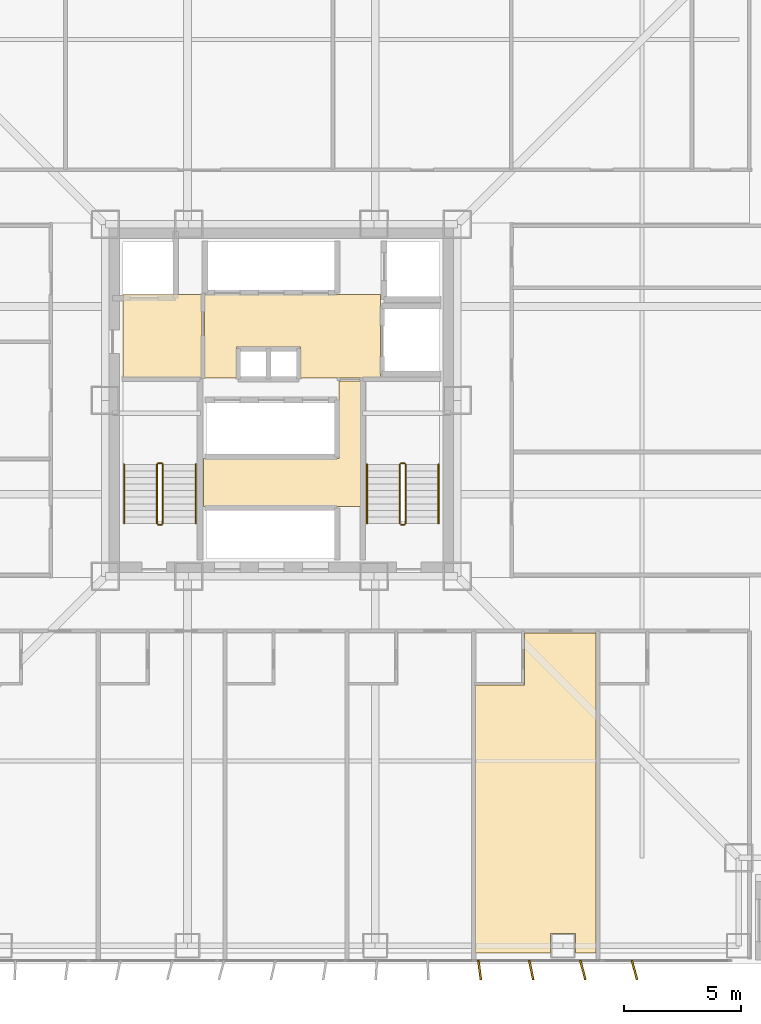
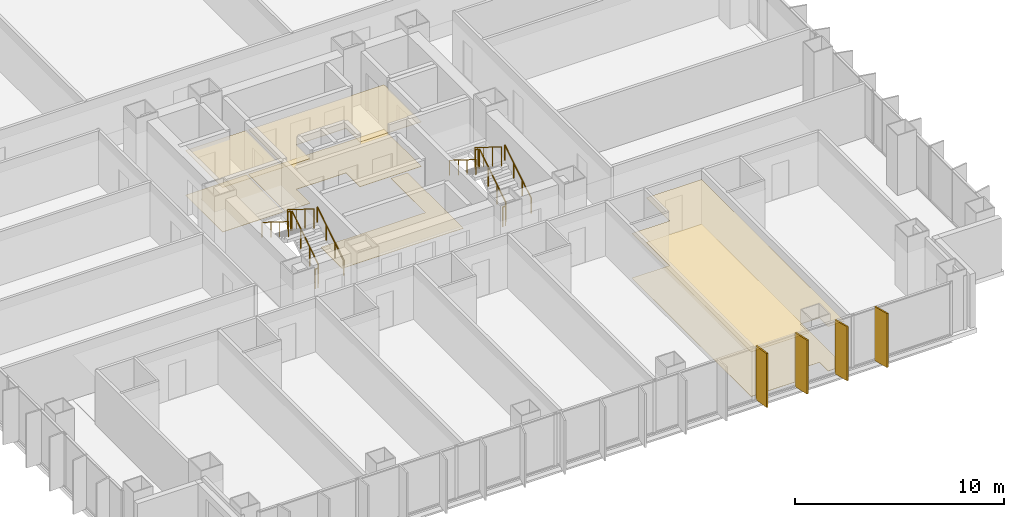
# One storey, part 18 of 19: 12 railings, 7 coverings, 4 shading devices.
"""IFC4 building model written with IfcOpenShell, lengths in metres."""

from ifc_helpers import new_model, si_unit, direction, frame, origin, origin_2d, place, context, subcontext, project, spatial, polyline, rectangle, circle, outline, extrude, material, layer, layer_set, type_object, element, save


model = new_model("IFC4")

# Units and contexts
model_context = context("Model", 3, precision=1e-05, world=origin(), true_north=direction((0.0, 1.0)))
body_context = subcontext(model_context, "Body", "Model", "MODEL_VIEW")
ifc_project = project(units=[si_unit("LENGTHUNIT", "METRE"), si_unit("AREAUNIT", "SQUARE_METRE"), si_unit("VOLUMEUNIT", "CUBIC_METRE"), si_unit("PLANEANGLEUNIT", "RADIAN"), si_unit("MASSUNIT", "GRAM", prefix="KILO")], contexts=[model_context])

# Site, building, storey
site_placement = place(None, origin())
site = spatial("IfcSite", under=ifc_project, at=site_placement, CompositionType="ELEMENT")
building_placement = place(site_placement, origin())
building = spatial("IfcBuilding", under=site, at=building_placement, Name="Trevonay Congress Spire", CompositionType="ELEMENT")
storey_placement = place(building_placement, frame((0.0, 0.0, 79.5)))
storey = spatial("IfcBuildingStorey", under=building, at=storey_placement, Name="L20", CompositionType="ELEMENT", Elevation=79.5)

# Coverings
ifc_material_1 = material(Name="Acoustic Mineral Fibre Board", Category="gypsum")
ifc_layer_1 = layer(ifc_material_1, 0.02490234375, Name="Acoustic Mineral Fibre Board")
ifc_layer_set_1 = layer_set([ifc_layer_1], Name="Acoustic Mineral Fibre Board")
covering_type_1 = type_object("IfcCoveringType", Name="COV-CEIL-ACOUSTIC", PredefinedType="CEILING", material=ifc_layer_set_1)
covering_1_placement = place(storey_placement, frame((0.0, 0.0, 2.60009765625)))
element("IfcCovering", 1, at=covering_1_placement, inside=storey, type_object=covering_type_1, Name="L20 Firefighting Lift Lobby West acoustic suspended ceiling", PredefinedType="CEILING", context=body_context, shape_type="SweptSolid", body=[
    extrude(outline(polyline([(-6.75, 0.9599609375), (-3.3798828125, 0.9599609375), (-3.3798828125, 4.52001953125), (-6.75, 4.52001953125), (-6.75, 0.9599609375)])), origin(), (0.0, 0.0, 1.0), 0.02490234375),
])
covering_2_placement = place(storey_placement, frame((0.0, 0.0, 2.60009765625)))
element("IfcCovering", 2, at=covering_2_placement, inside=storey, type_object=covering_type_1, Name="L20 Central and High-Rise Passenger Lift Lobby acoustic suspended ceiling", PredefinedType="CEILING", context=body_context, shape_type="SweptSolid", body=[
    extrude(outline(polyline([(-3.280029296875, 0.949951171875), (-1.919921875, 0.949951171875), (-1.919921875, 2.280029296875), (0.820068359375, 2.280029296875), (0.820068359375, 0.949951171875), (4.219970703125, 0.949951171875), (4.219970703125, 4.52001953125), (-3.280029296875, 4.52001953125), (-3.280029296875, 0.949951171875)])), origin(), (0.0, 0.0, 1.0), 0.02490234375),
])
covering_3_placement = place(storey_placement, frame((0.0, 0.0, 2.60009765625)))
element("IfcCovering", 3, at=covering_3_placement, inside=storey, type_object=covering_type_1, Name="L20 Corner Hotel Suite acoustic suspended ceiling", PredefinedType="CEILING", context=body_context, shape_type="SweptSolid", body=[
    extrude(outline(polyline([(8.280029296875, -23.550048828125), (8.280029296875, -12.139892578125), (10.3701171875, -12.139892578125), (10.3701171875, -9.909912109375), (13.419921875, -9.909912109375), (13.419921875, -23.550048828125), (12.534912109375, -23.550048828125), (12.534912109375, -22.715087890625), (11.465087890625, -22.715087890625), (11.465087890625, -23.550048828125), (8.280029296875, -23.550048828125)])), origin(), (0.0, 0.0, 1.0), 0.02490234375),
])
ifc_material_2 = material(Name="Polished Granite Floor Tile", Category="masonry")
ifc_layer_2 = layer(ifc_material_2, 0.02001953125, Name="Polished Granite Floor Tile")
ifc_layer_set_2 = layer_set([ifc_layer_2], Name="Polished Granite Floor Tile")
covering_type_2 = type_object("IfcCoveringType", Name="COV-FLOOR-STONE", PredefinedType="FLOORING", material=ifc_layer_set_2)
covering_4_placement = place(storey_placement, origin())
element("IfcCovering", 4, at=covering_4_placement, inside=storey, type_object=covering_type_2, Name="L20 Firefighting Lift Lobby West floor finish", PredefinedType="FLOORING", context=body_context, shape_type="SweptSolid", body=[
    extrude(outline(polyline([(-6.75, 0.9599609375), (-3.3798828125, 0.9599609375), (-3.3798828125, 4.52001953125), (-6.75, 4.52001953125), (-6.75, 0.9599609375)])), origin(), (0.0, 0.0, 1.0), 0.02001953125),
])
covering_5_placement = place(storey_placement, origin())
element("IfcCovering", 5, at=covering_5_placement, inside=storey, type_object=covering_type_2, Name="L20 Central and High-Rise Passenger Lift Lobby floor finish", PredefinedType="FLOORING", context=body_context, shape_type="SweptSolid", body=[
    extrude(outline(polyline([(-3.280029296875, 0.949951171875), (-1.919921875, 0.949951171875), (-1.919921875, 2.280029296875), (0.820068359375, 2.280029296875), (0.820068359375, 0.949951171875), (4.219970703125, 0.949951171875), (4.219970703125, 4.52001953125), (-3.280029296875, 4.52001953125), (-3.280029296875, 0.949951171875)])), origin(), (0.0, 0.0, 1.0), 0.02001953125),
])
covering_6_placement = place(storey_placement, origin())
element("IfcCovering", 6, at=covering_6_placement, inside=storey, type_object=covering_type_2, Name="L20 Core MEP Metering Room floor finish", PredefinedType="FLOORING", context=body_context, shape_type="SweptSolid", body=[
    extrude(outline(polyline([(-3.320068359375, -4.52001953125), (3.3798828125, -4.52001953125), (3.3798828125, 0.820068359375), (2.4599609375, 0.820068359375), (2.4599609375, -2.47998046875), (-3.320068359375, -2.47998046875), (-3.320068359375, -4.52001953125)])), origin(), (0.0, 0.0, 1.0), 0.02001953125),
])
ifc_material_3 = material(Name="Engineered Oak Flooring", Category="wood")
ifc_layer_3 = layer(ifc_material_3, 0.01806640625, Name="Engineered Oak Flooring")
ifc_layer_set_3 = layer_set([ifc_layer_3], Name="Engineered Oak Flooring")
covering_type_3 = type_object("IfcCoveringType", Name="COV-FLOOR-TIMBER", PredefinedType="FLOORING", material=ifc_layer_set_3)
covering_7_placement = place(storey_placement, origin())
element("IfcCovering", 7, at=covering_7_placement, inside=storey, type_object=covering_type_3, Name="L20 Corner Hotel Suite floor finish", PredefinedType="FLOORING", context=body_context, shape_type="SweptSolid", body=[
    extrude(outline(polyline([(8.280029296875, -23.550048828125), (8.280029296875, -12.139892578125), (10.3701171875, -12.139892578125), (10.3701171875, -9.909912109375), (13.419921875, -9.909912109375), (13.419921875, -23.550048828125), (12.534912109375, -23.550048828125), (12.534912109375, -22.715087890625), (11.465087890625, -22.715087890625), (11.465087890625, -23.550048828125), (8.280029296875, -23.550048828125)])), origin(), (0.0, 0.0, 1.0), 0.01806640625),
])

# Railings
ifc_material_4 = material(Name="Pale Anodised Aluminium EN AW-6063-T6", Category="aluminium")
railing_type_1 = type_object("IfcRailingType", Name="RAL-STAIR-GUARD-110", PredefinedType="GUARDRAIL", material=ifc_material_4)
railing_1_placement = place(storey_placement, frame((-5.050048828125, -5.25, 0.175048828125)))
element("IfcRailing", 8, at=railing_1_placement, inside=storey, type_object=railing_type_1, Name="L20 ST-1 stair guard 1", PredefinedType="GUARDRAIL", context=body_context, shape_type="SweptSolid", body=[
    extrude(circle(Radius=0.02392578125, at=origin_2d()), frame((0.0, 0.0, 1.1259765625), z_axis=(0.0, 0.848007534815, 0.529984170421), x_axis=(-1.0, 0.0, 0.0)), (0.0, 0.0, 1.0), 2.9716796875),
    extrude(circle(Radius=0.02099609375, at=origin_2d()), origin(), (0.0, 0.0, 1.0), 1.101806640625),
    extrude(circle(Radius=0.02099609375, at=origin_2d()), frame((0.0, 0.840087890625, 0.52490234375)), (0.0, 0.0, 1.0), 1.101806640625),
    extrude(circle(Radius=0.02099609375, at=origin_2d()), frame((0.0, 1.679931640625, 1.050048828125)), (0.0, 0.0, 1.0), 1.101806640625),
    extrude(circle(Radius=0.02099609375, at=origin_2d()), frame((0.0, 2.52001953125, 1.574951171875)), (0.0, 0.0, 1.0), 1.101806640625),
])
railing_2_placement = place(storey_placement, frame((-5.10009765625, -2.679931640625, 1.75)))
element("IfcRailing", 9, at=railing_2_placement, inside=storey, type_object=railing_type_1, Name="L20 ST-1 stair guard 2", PredefinedType="GUARDRAIL", context=body_context, shape_type="SweptSolid", body=[
    extrude(circle(Radius=0.02392578125, at=origin_2d()), frame((0.0, 0.0, 1.1259765625), z_axis=(-1.0, 0.0, 0.0), x_axis=(0.0, -1.0, 0.0)), (0.0, 0.0, 1.0), 0.14990234375),
    extrude(circle(Radius=0.02099609375, at=origin_2d()), origin(), (0.0, 0.0, 1.0), 1.101806640625),
    extrude(circle(Radius=0.02099609375, at=origin_2d()), frame((-0.14990234375, 0.0, 0.0)), (0.0, 0.0, 1.0), 1.101806640625),
])
railing_3_placement = place(storey_placement, frame((-5.300048828125, -2.72998046875, 1.925048828125)))
element("IfcRailing", 10, at=railing_3_placement, inside=storey, type_object=railing_type_1, Name="L20 ST-1 stair guard 3", PredefinedType="GUARDRAIL", context=body_context, shape_type="SweptSolid", body=[
    extrude(circle(Radius=0.02392578125, at=origin_2d()), frame((0.0, 0.0, 1.1259765625), z_axis=(0.0, -0.848007534815, 0.529984170421), x_axis=(1.0, 0.0, 0.0)), (0.0, 0.0, 1.0), 2.9716796875),
    extrude(circle(Radius=0.02099609375, at=origin_2d()), origin(), (0.0, 0.0, 1.0), 1.101806640625),
    extrude(circle(Radius=0.02099609375, at=origin_2d()), frame((0.0, -0.840087890625, 0.52490234375)), (0.0, 0.0, 1.0), 1.101806640625),
    extrude(circle(Radius=0.02099609375, at=origin_2d()), frame((0.0, -1.679931640625, 1.050048828125)), (0.0, 0.0, 1.0), 1.101806640625),
    extrude(circle(Radius=0.02099609375, at=origin_2d()), frame((0.0, -2.52001953125, 1.574951171875)), (0.0, 0.0, 1.0), 1.101806640625),
])
railing_4_placement = place(storey_placement, frame((-5.10009765625, -5.300048828125, 0.0)))
element("IfcRailing", 11, at=railing_4_placement, inside=storey, type_object=railing_type_1, Name="L20 ST-1 stair guard 4", PredefinedType="GUARDRAIL", context=body_context, shape_type="SweptSolid", body=[
    extrude(circle(Radius=0.02392578125, at=origin_2d()), frame((0.0, 0.0, 1.1259765625), z_axis=(-1.0, 0.0, 0.0), x_axis=(0.0, -1.0, 0.0)), (0.0, 0.0, 1.0), 0.14990234375),
    extrude(circle(Radius=0.02099609375, at=origin_2d()), origin(), (0.0, 0.0, 1.0), 1.101806640625),
    extrude(circle(Radius=0.02099609375, at=origin_2d()), frame((-0.14990234375, 0.0, 0.0)), (0.0, 0.0, 1.0), 1.101806640625),
])
railing_5_placement = place(storey_placement, frame((5.300048828125, -5.25, 0.175048828125)))
element("IfcRailing", 12, at=railing_5_placement, inside=storey, type_object=railing_type_1, Name="L20 ST-2 stair guard 1", PredefinedType="GUARDRAIL", context=body_context, shape_type="SweptSolid", body=[
    extrude(circle(Radius=0.02392578125, at=origin_2d()), frame((0.0, 0.0, 1.1259765625), z_axis=(0.0, 0.848007534815, 0.529984170421), x_axis=(-1.0, 0.0, 0.0)), (0.0, 0.0, 1.0), 2.9716796875),
    extrude(circle(Radius=0.02099609375, at=origin_2d()), origin(), (0.0, 0.0, 1.0), 1.101806640625),
    extrude(circle(Radius=0.02099609375, at=origin_2d()), frame((0.0, 0.840087890625, 0.52490234375)), (0.0, 0.0, 1.0), 1.101806640625),
    extrude(circle(Radius=0.02099609375, at=origin_2d()), frame((0.0, 1.679931640625, 1.050048828125)), (0.0, 0.0, 1.0), 1.101806640625),
    extrude(circle(Radius=0.02099609375, at=origin_2d()), frame((0.0, 2.52001953125, 1.574951171875)), (0.0, 0.0, 1.0), 1.101806640625),
])
railing_6_placement = place(storey_placement, frame((5.25, -2.679931640625, 1.75)))
element("IfcRailing", 13, at=railing_6_placement, inside=storey, type_object=railing_type_1, Name="L20 ST-2 stair guard 2", PredefinedType="GUARDRAIL", context=body_context, shape_type="SweptSolid", body=[
    extrude(circle(Radius=0.02392578125, at=origin_2d()), frame((0.0, 0.0, 1.1259765625), z_axis=(-1.0, 0.0, 0.0), x_axis=(0.0, -1.0, 0.0)), (0.0, 0.0, 1.0), 0.14990234375),
    extrude(circle(Radius=0.02099609375, at=origin_2d()), origin(), (0.0, 0.0, 1.0), 1.101806640625),
    extrude(circle(Radius=0.02099609375, at=origin_2d()), frame((-0.14990234375, 0.0, 0.0)), (0.0, 0.0, 1.0), 1.101806640625),
])
railing_7_placement = place(storey_placement, frame((5.050048828125, -2.72998046875, 1.925048828125)))
element("IfcRailing", 14, at=railing_7_placement, inside=storey, type_object=railing_type_1, Name="L20 ST-2 stair guard 3", PredefinedType="GUARDRAIL", context=body_context, shape_type="SweptSolid", body=[
    extrude(circle(Radius=0.02392578125, at=origin_2d()), frame((0.0, 0.0, 1.1259765625), z_axis=(0.0, -0.848007534815, 0.529984170421), x_axis=(1.0, 0.0, 0.0)), (0.0, 0.0, 1.0), 2.9716796875),
    extrude(circle(Radius=0.02099609375, at=origin_2d()), origin(), (0.0, 0.0, 1.0), 1.101806640625),
    extrude(circle(Radius=0.02099609375, at=origin_2d()), frame((0.0, -0.840087890625, 0.52490234375)), (0.0, 0.0, 1.0), 1.101806640625),
    extrude(circle(Radius=0.02099609375, at=origin_2d()), frame((0.0, -1.679931640625, 1.050048828125)), (0.0, 0.0, 1.0), 1.101806640625),
    extrude(circle(Radius=0.02099609375, at=origin_2d()), frame((0.0, -2.52001953125, 1.574951171875)), (0.0, 0.0, 1.0), 1.101806640625),
])
railing_8_placement = place(storey_placement, frame((5.25, -5.300048828125, 0.0)))
element("IfcRailing", 15, at=railing_8_placement, inside=storey, type_object=railing_type_1, Name="L20 ST-2 stair guard 4", PredefinedType="GUARDRAIL", context=body_context, shape_type="SweptSolid", body=[
    extrude(circle(Radius=0.02392578125, at=origin_2d()), frame((0.0, 0.0, 1.1259765625), z_axis=(-1.0, 0.0, 0.0), x_axis=(0.0, -1.0, 0.0)), (0.0, 0.0, 1.0), 0.14990234375),
    extrude(circle(Radius=0.02099609375, at=origin_2d()), origin(), (0.0, 0.0, 1.0), 1.101806640625),
    extrude(circle(Radius=0.02099609375, at=origin_2d()), frame((-0.14990234375, 0.0, 0.0)), (0.0, 0.0, 1.0), 1.101806640625),
])
railing_type_2 = type_object("IfcRailingType", Name="RAL-STAIR-HANDRAIL", PredefinedType="HANDRAIL", material=ifc_material_4)
railing_9_placement = place(storey_placement, frame((-3.64990234375, -5.25, 0.175048828125)))
element("IfcRailing", 16, at=railing_9_placement, inside=storey, type_object=railing_type_2, Name="L20 ST-1 stair handrail 1", PredefinedType="HANDRAIL", context=body_context, shape_type="SweptSolid", body=[
    extrude(circle(Radius=0.02392578125, at=origin_2d()), frame((0.0, 0.0, 0.8759765625), z_axis=(0.0, 0.848007534815, 0.529984170421), x_axis=(-1.0, 0.0, 0.0)), (0.0, 0.0, 1.0), 2.9716796875),
    extrude(circle(Radius=0.02099609375, at=origin_2d()), origin(), (0.0, 0.0, 1.0), 0.851806640625),
    extrude(circle(Radius=0.02099609375, at=origin_2d()), frame((0.0, 0.840087890625, 0.52490234375)), (0.0, 0.0, 1.0), 0.851806640625),
    extrude(circle(Radius=0.02099609375, at=origin_2d()), frame((0.0, 1.679931640625, 1.050048828125)), (0.0, 0.0, 1.0), 0.851806640625),
    extrude(circle(Radius=0.02099609375, at=origin_2d()), frame((0.0, 2.52001953125, 1.574951171875)), (0.0, 0.0, 1.0), 0.851806640625),
])
railing_10_placement = place(storey_placement, frame((-6.699951171875, -2.72998046875, 1.925048828125)))
element("IfcRailing", 17, at=railing_10_placement, inside=storey, type_object=railing_type_2, Name="L20 ST-1 stair handrail 2", PredefinedType="HANDRAIL", context=body_context, shape_type="SweptSolid", body=[
    extrude(circle(Radius=0.02392578125, at=origin_2d()), frame((0.0, 0.0, 0.8759765625), z_axis=(0.0, -0.848007534815, 0.529984170421), x_axis=(1.0, 0.0, 0.0)), (0.0, 0.0, 1.0), 2.9716796875),
    extrude(circle(Radius=0.02099609375, at=origin_2d()), origin(), (0.0, 0.0, 1.0), 0.851806640625),
    extrude(circle(Radius=0.02099609375, at=origin_2d()), frame((0.0, -0.840087890625, 0.52490234375)), (0.0, 0.0, 1.0), 0.851806640625),
    extrude(circle(Radius=0.02099609375, at=origin_2d()), frame((0.0, -1.679931640625, 1.050048828125)), (0.0, 0.0, 1.0), 0.851806640625),
    extrude(circle(Radius=0.02099609375, at=origin_2d()), frame((0.0, -2.52001953125, 1.574951171875)), (0.0, 0.0, 1.0), 0.851806640625),
])
railing_11_placement = place(storey_placement, frame((6.699951171875, -5.25, 0.175048828125)))
element("IfcRailing", 18, at=railing_11_placement, inside=storey, type_object=railing_type_2, Name="L20 ST-2 stair handrail 1", PredefinedType="HANDRAIL", context=body_context, shape_type="SweptSolid", body=[
    extrude(circle(Radius=0.02392578125, at=origin_2d()), frame((0.0, 0.0, 0.8759765625), z_axis=(0.0, 0.848007534815, 0.529984170421), x_axis=(-1.0, 0.0, 0.0)), (0.0, 0.0, 1.0), 2.9716796875),
    extrude(circle(Radius=0.02099609375, at=origin_2d()), origin(), (0.0, 0.0, 1.0), 0.851806640625),
    extrude(circle(Radius=0.02099609375, at=origin_2d()), frame((0.0, 0.840087890625, 0.52490234375)), (0.0, 0.0, 1.0), 0.851806640625),
    extrude(circle(Radius=0.02099609375, at=origin_2d()), frame((0.0, 1.679931640625, 1.050048828125)), (0.0, 0.0, 1.0), 0.851806640625),
    extrude(circle(Radius=0.02099609375, at=origin_2d()), frame((0.0, 2.52001953125, 1.574951171875)), (0.0, 0.0, 1.0), 0.851806640625),
])
railing_12_placement = place(storey_placement, frame((3.64990234375, -2.72998046875, 1.925048828125)))
element("IfcRailing", 19, at=railing_12_placement, inside=storey, type_object=railing_type_2, Name="L20 ST-2 stair handrail 2", PredefinedType="HANDRAIL", context=body_context, shape_type="SweptSolid", body=[
    extrude(circle(Radius=0.02392578125, at=origin_2d()), frame((0.0, 0.0, 0.8759765625), z_axis=(0.0, -0.848007534815, 0.529984170421), x_axis=(1.0, 0.0, 0.0)), (0.0, 0.0, 1.0), 2.9716796875),
    extrude(circle(Radius=0.02099609375, at=origin_2d()), origin(), (0.0, 0.0, 1.0), 0.851806640625),
    extrude(circle(Radius=0.02099609375, at=origin_2d()), frame((0.0, -0.840087890625, 0.52490234375)), (0.0, 0.0, 1.0), 0.851806640625),
    extrude(circle(Radius=0.02099609375, at=origin_2d()), frame((0.0, -1.679931640625, 1.050048828125)), (0.0, 0.0, 1.0), 0.851806640625),
    extrude(circle(Radius=0.02099609375, at=origin_2d()), frame((0.0, -2.52001953125, 1.574951171875)), (0.0, 0.0, 1.0), 0.851806640625),
])

# Shading devices
shading_device_type = type_object("IfcShadingDeviceType", Name="SHD-FIN-Z1-PALE-METAL", PredefinedType="USERDEFINED", material=ifc_material_4)
for number, where, z_axis, x_axis, name in (
    (20, (8.449951171875, -24.280029296875, 0.0), (0.0, 0.0, 1.0), (0.991444861374, 0.13052619222, 0.0), "L20 S vertical pale-metal solar fin 13"),
    (21, (10.64990234375, -24.280029296875, 0.0), (0.0, 0.0, 1.0), (0.978508985102, 0.206204185397, 0.0), "L20 S vertical pale-metal solar fin 14"),
    (22, (12.85009765625, -24.280029296875, 0.0), (0.0, 0.0, 1.0), (0.968191325187, 0.250211026602, 0.0), "L20 S vertical pale-metal solar fin 15"),
    (23, (15.050048828125, -24.280029296875, 0.0), (0.0, 0.0, 1.0), (0.966510581262, 0.256626764599, 0.0), "L20 S vertical pale-metal solar fin 16"),
):
    element("IfcShadingDevice", number, at=place(storey_placement, frame(where, z_axis=z_axis, x_axis=x_axis)), inside=storey, type_object=shading_device_type, Name=name, ObjectType="SOLAR FIN", PredefinedType="USERDEFINED", context=body_context, shape_type="SweptSolid", body=[
        extrude(rectangle(XDim=0.080078125, YDim=0.85009765625, at=origin_2d()), origin(), (0.0, 0.0, 1.0), 3.14990234375),
    ])

save(model, "model.ifc")
